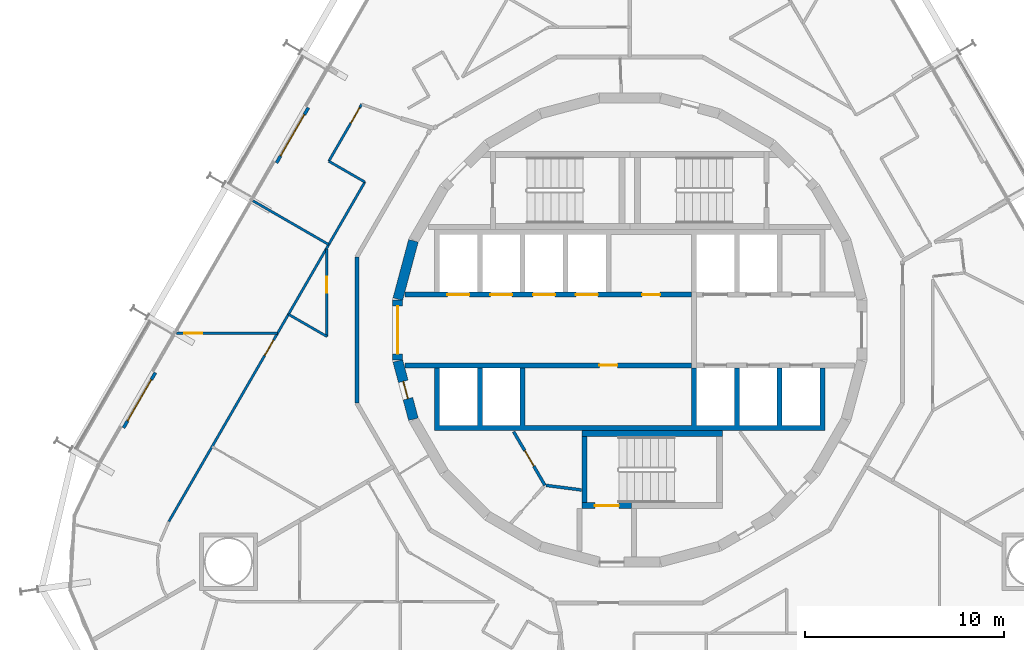
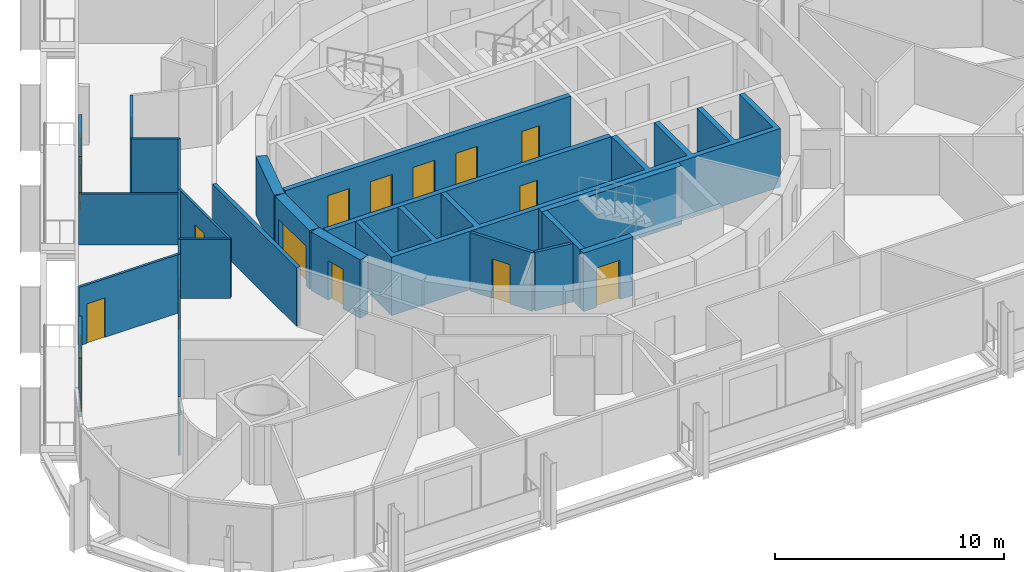
# One storey, part 14 of 21: 22 walls, 16 doors, 16 openings.
"""IFC4 building model written with IfcOpenShell, lengths in metres."""

import ifcopenshell
import ifcopenshell.guid

model = None  # the IFC model being written
_history = None  # IfcOwnerHistory: only IFC2X3 demands one
_inside = {}  # id of a spatial element -> (the spatial element, [elements in it])
_under = {}  # id of a project, library or spatial element -> (it, [spatial elements below it])
_declared = {}  # id of a project -> (the project, [libraries it declares])
_typed = {}  # id of a type object -> (the type object, [elements of that type])
_made_of = {}  # id of a material, layer set ... -> (it, [elements and type objects made of it])


def new_model(schema):
    """Start an empty IFC model of exactly this schema.

    Asked for "IFC4X3", IfcOpenShell would pick the latest addendum, in which some entities
    have other attributes; the version numbers below select the first issue.
    IFC2X3 requires an IfcOwnerHistory on every rooted entity: one is made here for all.
    """
    global model, _history
    if schema == "IFC4X3":
        model = ifcopenshell.file(schema_version=(4, 3, 0, 0))
    else:
        model = ifcopenshell.file(schema=schema)
    _inside.clear()
    _under.clear()
    _declared.clear()
    _typed.clear()
    _made_of.clear()
    _history = None
    if model.schema == "IFC2X3":
        org = make("IfcOrganization", Name="unknown")
        user = make(
            "IfcPersonAndOrganization",
            ThePerson=make("IfcPerson", FamilyName="unknown"),
            TheOrganization=org,
        )
        app = make(
            "IfcApplication",
            ApplicationDeveloper=org,
            Version="unknown",
            ApplicationFullName="unknown",
            ApplicationIdentifier="unknown",
        )
        _history = make(
            "IfcOwnerHistory",
            OwningUser=user,
            OwningApplication=app,
            ChangeAction="ADDED",
            CreationDate=0,
        )
    return model


def make(cls, **values):
    """One entity of the class cls with the attributes given. An attribute that is None is left unset."""
    return model.create_entity(
        cls, **{name: value for name, value in values.items() if value is not None}
    )


def rooted(cls, **values):
    """An entity with a GlobalId (a new one), such as an element, a storey or a relation."""
    return make(cls, GlobalId=ifcopenshell.guid.new(), OwnerHistory=_history, **values)


def si_unit(unit_type, name, prefix=None):
    """IfcSIUnit, for example si_unit("LENGTHUNIT", "METRE", prefix="MILLI")."""
    return make("IfcSIUnit", UnitType=unit_type, Prefix=prefix, Name=name)


def assignment(units):
    """IfcUnitAssignment: the units of a project."""
    return None if units is None else make("IfcUnitAssignment", Units=units)


def point(xyz):
    """IfcCartesianPoint."""
    return None if xyz is None else make("IfcCartesianPoint", Coordinates=xyz)


def direction(xyz):
    """IfcDirection."""
    return None if xyz is None else make("IfcDirection", DirectionRatios=xyz)


def frame(location, z_axis=None, x_axis=None):
    """IfcAxis2Placement3D, a coordinate frame: its origin and axes. An axis left out is left unset."""
    return make(
        "IfcAxis2Placement3D",
        Location=point(location),
        Axis=direction(z_axis),
        RefDirection=direction(x_axis),
    )


def frame_2d(location, x_axis=None):
    """IfcAxis2Placement2D, a coordinate frame in the plane: its origin and x axis."""
    return make(
        "IfcAxis2Placement2D", Location=point(location), RefDirection=direction(x_axis)
    )


def origin():
    """The frame at (0, 0, 0) with its axes left unset."""
    return frame((0.0, 0.0, 0.0))


def place(relative_to, where):
    """IfcLocalPlacement: puts the frame where relative to a parent placement (None: the world)."""
    return make(
        "IfcLocalPlacement", PlacementRelTo=relative_to, RelativePlacement=where
    )


def context(
    kind, dimensions, precision=None, world=None, true_north=None, identifier=None
):
    """IfcGeometricRepresentationContext, for example the 3D "Model" context."""
    return make(
        "IfcGeometricRepresentationContext",
        ContextIdentifier=identifier,
        ContextType=kind,
        CoordinateSpaceDimension=dimensions,
        Precision=precision,
        WorldCoordinateSystem=world,
        TrueNorth=true_north,
    )


def subcontext(parent, identifier, kind, view, scale=None):
    """IfcGeometricRepresentationSubContext, for example "Body" below "Model"."""
    return make(
        "IfcGeometricRepresentationSubContext",
        ContextIdentifier=identifier,
        ContextType=kind,
        ParentContext=parent,
        TargetScale=scale,
        TargetView=view,
    )


def project(units=None, contexts=None):
    """IfcProject with its units and contexts."""
    return rooted(
        "IfcProject",
        Name="project",
        RepresentationContexts=contexts,
        UnitsInContext=assignment(units),
    )


def spatial(cls, under=None, at=None, **own):
    """A site, building, storey or space (cls), placed at a placement, below another one or the project."""
    s = rooted(cls, ObjectPlacement=at, **own)
    if under is not None:
        _under.setdefault(under.id(), (under, []))[1].append(s)
    return s


def polyline(points):
    """IfcPolyline through the points."""
    return make("IfcPolyline", Points=[point(p) for p in points])


def profile(cls, at=None, kind="AREA", **sizes):
    """A parametric profile (cls). Its sizes go by their IFC names, for example OverallWidth=200.0."""
    return make(cls, ProfileType=kind, Position=at, **sizes)


def rectangle(**sizes):
    """IfcRectangleProfileDef."""
    return profile("IfcRectangleProfileDef", **sizes)


def outline(outer, holes=None, kind="AREA"):
    """IfcArbitraryClosedProfileDef: a profile drawn as a closed curve; with holes, ...WithVoids."""
    if holes is None:
        return make("IfcArbitraryClosedProfileDef", ProfileType=kind, OuterCurve=outer)
    return make(
        "IfcArbitraryProfileDefWithVoids",
        ProfileType=kind,
        OuterCurve=outer,
        InnerCurves=holes,
    )


def extrude(swept, where, along, depth):
    """IfcExtrudedAreaSolid: the profile swept, set in the frame where, extruded along a direction by depth."""
    return make(
        "IfcExtrudedAreaSolid",
        SweptArea=swept,
        Position=where,
        ExtrudedDirection=direction(along),
        Depth=depth,
    )


def shape(context_of_items, identifier, shape_type, items):
    """IfcShapeRepresentation: the items that make up one representation, for example the "Body"."""
    return make(
        "IfcShapeRepresentation",
        ContextOfItems=context_of_items,
        RepresentationIdentifier=identifier,
        RepresentationType=shape_type,
        Items=items,
    )


def material(Name=None, Category=None):
    """IfcMaterial."""
    return make("IfcMaterial", Name=Name, Category=Category)


def layer(
    of_material, thickness, ventilated=None, Name=None, Category=None, Priority=None
):
    """IfcMaterialLayer: one layer of a wall or slab, of a material (None: an air gap)."""
    return make(
        "IfcMaterialLayer",
        Material=of_material,
        LayerThickness=thickness,
        IsVentilated=ventilated,
        Name=Name,
        Category=Category,
        Priority=Priority,
    )


def layer_set(layers, Name=None):
    """IfcMaterialLayerSet."""
    return make("IfcMaterialLayerSet", MaterialLayers=layers, LayerSetName=Name)


def made_of(thing, what):
    """Note that an element or type object is made of a material, layer set ...; save() writes the relation."""
    if what is not None:
        _made_of.setdefault(what.id(), (what, []))[1].append(thing)
    return thing


def type_object(cls, material=None, **own):
    """A type object (cls), such as IfcWallType, which elements share."""
    return made_of(rooted(cls, **own), material)


def element(
    cls,
    number,
    at=None,
    inside=None,
    cuts=None,
    type_object=None,
    material=None,
    context=None,
    identifier="Body",
    shape_type=None,
    held_by="IfcProductDefinitionShape",
    body=None,
    shapes=None,
    **own,
):
    """One element of the class cls, such as IfcWall. Its Tag is "e" and its number.

    at: its placement. inside: the storey or other place that contains it. cuts: it is an
    opening in that element (IfcRelVoidsElement). A single representation is given by context,
    identifier, shape_type and body (its items); several are given by shapes. held_by: the class
    of the entity that holds the representations. save() writes the other relations.
    """
    e = rooted(cls, Tag="e%d" % number, ObjectPlacement=at, **own)
    if body is not None:
        shapes = [shape(context, identifier, shape_type, body)]
    if shapes is not None:
        e.Representation = make(held_by, Representations=shapes)
    if inside is not None:
        _inside.setdefault(inside.id(), (inside, []))[1].append(e)
    if cuts is not None:
        rooted(
            "IfcRelVoidsElement", RelatingBuildingElement=cuts, RelatedOpeningElement=e
        )
    if type_object is not None:
        _typed.setdefault(type_object.id(), (type_object, []))[1].append(e)
    return made_of(e, material)


def fill(opening, filler):
    """IfcRelFillsElement: the door or window that sits in an opening."""
    return rooted(
        "IfcRelFillsElement",
        RelatingOpeningElement=opening,
        RelatedBuildingElement=filler,
    )


def aggregate(whole, parts):
    """IfcRelAggregates: a whole, such as a stair, and the parts it consists of."""
    return rooted("IfcRelAggregates", RelatingObject=whole, RelatedObjects=parts)


def save(model, path):
    """Write the relations noted so far, then the file.

    IfcRelAggregates (storeys below a building ...), IfcRelContainedInSpatialStructure (elements
    in a storey), IfcRelDefinesByType, IfcRelAssociatesMaterial and IfcRelDeclares: one each for
    every whole, place, type object, material and project.
    """
    for whole, parts in _under.values():
        aggregate(whole, parts)
    for where, things in _inside.values():
        rooted(
            "IfcRelContainedInSpatialStructure",
            RelatedElements=things,
            RelatingStructure=where,
        )
    for kind, things in _typed.values():
        rooted("IfcRelDefinesByType", RelatedObjects=things, RelatingType=kind)
    for what, things in _made_of.values():
        rooted("IfcRelAssociatesMaterial", RelatedObjects=things, RelatingMaterial=what)
    for by, libraries in _declared.values():
        rooted("IfcRelDeclares", RelatingContext=by, RelatedDefinitions=libraries)
    model.write(path)


model = new_model("IFC4")

# Units and contexts
model_context = context("Model", 3, precision=1e-05, world=origin(), true_north=direction((0.0, 1.0)))
body_context = subcontext(model_context, "Body", "Model", "MODEL_VIEW")
ifc_project = project(units=[si_unit("LENGTHUNIT", "METRE"), si_unit("AREAUNIT", "SQUARE_METRE"), si_unit("VOLUMEUNIT", "CUBIC_METRE"), si_unit("PLANEANGLEUNIT", "RADIAN"), si_unit("MASSUNIT", "GRAM", prefix="KILO")], contexts=[model_context])

# Site, building, storey
site_placement = place(None, origin())
site = spatial("IfcSite", under=ifc_project, at=site_placement, CompositionType="ELEMENT")
building_placement = place(site_placement, origin())
building = spatial("IfcBuilding", under=site, at=building_placement, Name="Spindle Arch Residences", CompositionType="ELEMENT")
storey_placement = place(building_placement, frame((0.0, 0.0, 62.89990234375)))
storey = spatial("IfcBuildingStorey", under=building, at=storey_placement, Name="L14", CompositionType="ELEMENT", Elevation=62.89990234375)

# Wall
ifc_material_1 = material(Name="Concrete C50/60", Category="concrete")
ifc_layer_1 = layer(ifc_material_1, 0.5)
ifc_layer_set_1 = layer_set([ifc_layer_1], Name="Core outline wall 500")
wall_type_1 = type_object("IfcWallType", Name="Core outline wall 500", PredefinedType="SHEAR", material=ifc_layer_set_1)
wall_1_placement = place(storey_placement, frame((-10.858154296875, 4.479248046875, 0.0), z_axis=(0.0, 0.0, 1.0), x_axis=(-0.258734743916, -0.965948410781, 0.0)))
element("IfcWall", 1, at=wall_1_placement, inside=storey, type_object=wall_type_1, Name="Core outline wall 17", PredefinedType="SHEAR", context=body_context, shape_type="SweptSolid", body=[
    extrude(rectangle(XDim=3.03271484375, YDim=0.5, at=frame_2d((1.516357421875, 0.0))), origin(), (0.0, 0.0, 1.0), 3.1201171875),
])

# Wall, opening, door
wall_2_placement = place(storey_placement, frame((-11.647216796875, 1.516357421875, 0.0), z_axis=(0.0, 0.0, 1.0), x_axis=(0.0, -1.0, 0.0)))
wall_2 = element("IfcWall", 2, at=wall_2_placement, inside=storey, type_object=wall_type_1, Name="Core outline wall 18", PredefinedType="SHEAR", context=body_context, shape_type="SweptSolid", body=[
    extrude(rectangle(XDim=3.03271484375, YDim=0.5, at=frame_2d((1.516357421875, 0.0))), origin(), (0.0, 0.0, 1.0), 3.1201171875),
])
opening_1_placement = place(wall_2_placement, frame((0.31640625, 0.0, 0.0)))
opening_1 = element("IfcOpeningElement", 3, at=opening_1_placement, cuts=wall_2, Name="Opening R1C1-LE01", PredefinedType="OPENING", context=body_context, shape_type="SweptSolid", body=[
    extrude(rectangle(XDim=2.39990234375, YDim=2.10009765625, at=frame_2d((1.199951171875, 1.050048828125))), frame((0.0, 0.260009765625, 0.0), z_axis=(0.0, -1.0, 0.0), x_axis=(1.0, 0.0, 0.0)), (0.0, 0.0, 1.0), 0.52001953125),
])
ifc_material_2 = material(Name="Steel, fire-resisting door", Category="steel")
door_type_1 = type_object("IfcDoorType", Name="Lift lobby entrance door 2400x2100", OperationType="DOUBLE_DOOR_SINGLE_SWING", PredefinedType="DOOR", material=ifc_material_2)
door_1_placement = place(opening_1_placement, origin())
door_1 = element("IfcDoor", 4, at=door_1_placement, inside=storey, type_object=door_type_1, Name="Lift lobby entrance door R1C1-LE01", OperationType="DOUBLE_DOOR_SINGLE_SWING", OverallHeight=2.10009765625, OverallWidth=2.39990234375, PredefinedType="DOOR", context=body_context, shape_type="SweptSolid", body=[
    extrude(rectangle(XDim=2.39990234375, YDim=2.10009765625, at=frame_2d((1.199951171875, 1.050048828125))), frame((0.0, 0.02490234375, 0.0), z_axis=(0.0, -1.0, 0.0), x_axis=(1.0, 0.0, 0.0)), (0.0, 0.0, 1.0), 0.050048828125),
])
fill(opening_1, door_1)

wall_3_placement = place(storey_placement, frame((-11.642822265625, -1.5498046875, 0.0), z_axis=(0.0, 0.0, 1.0), x_axis=(0.258734743916, -0.965948410781, 0.0)))
wall_3 = element("IfcWall", 5, at=wall_3_placement, inside=storey, type_object=wall_type_1, Name="Core outline wall 19", PredefinedType="SHEAR", context=body_context, shape_type="SweptSolid", body=[
    extrude(rectangle(XDim=3.03271484375, YDim=0.5, at=frame_2d((1.516357421875, 0.0))), origin(), (0.0, 0.0, 1.0), 3.1201171875),
])
opening_2_placement = place(wall_3_placement, frame((1.06640625, 0.0, 0.0)))
opening_2 = element("IfcOpeningElement", 6, at=opening_2_placement, cuts=wall_3, Name="Opening R1C1-WD08", PredefinedType="OPENING", context=body_context, shape_type="SweptSolid", body=[
    extrude(rectangle(XDim=0.89990234375, YDim=2.10009765625, at=frame_2d((0.449951171875, 1.050048828125))), frame((0.0, 0.260009765625, 0.0), z_axis=(0.0, -1.0, 0.0), x_axis=(1.0, 0.0, 0.0)), (0.0, 0.0, 1.0), 0.52001953125),
])
ifc_material_3 = material(Name="Steel, fire-resisting door", Category="steel")
door_type_2 = type_object("IfcDoorType", Name="Service room door 900x2100", OperationType="SINGLE_SWING_LEFT", PredefinedType="DOOR", material=ifc_material_3)
door_2_placement = place(opening_2_placement, origin())
door_2 = element("IfcDoor", 7, at=door_2_placement, inside=storey, type_object=door_type_2, Name="Service room door R1C1-WD08", OperationType="SINGLE_SWING_LEFT", OverallHeight=2.10009765625, OverallWidth=0.89990234375, PredefinedType="DOOR", context=body_context, shape_type="SweptSolid", body=[
    extrude(rectangle(XDim=0.89990234375, YDim=2.10009765625, at=frame_2d((0.449951171875, 1.050048828125))), frame((0.0, 0.02490234375, 0.0), z_axis=(0.0, -1.0, 0.0), x_axis=(1.0, 0.0, 0.0)), (0.0, 0.0, 1.0), 0.050048828125),
])
fill(opening_2, door_2)

# Wall
ifc_material_4 = material(Name="Calcium silicate block, plastered")
ifc_layer_2 = layer(ifc_material_4, 0.199951171875)
ifc_layer_set_2 = layer_set([ifc_layer_2], Name="Corridor wall 200")
wall_type_2 = type_object("IfcWallType", Name="Corridor wall 200", PredefinedType="STANDARD", material=ifc_layer_set_2)
wall_4_placement = place(storey_placement, frame((-13.699951171875, 3.6708984375, 0.0), z_axis=(0.0, 0.0, 1.0), x_axis=(0.0, -1.0, 0.0)))
element("IfcWall", 8, at=wall_4_placement, inside=storey, type_object=wall_type_2, Name="Corridor wall R1C1-W011", PredefinedType="STANDARD", context=body_context, shape_type="SweptSolid", body=[
    extrude(rectangle(XDim=7.341796875, YDim=0.199951171875, at=frame_2d((3.6708984375, 0.0))), origin(), (0.0, 0.0, 1.0), 3.1201171875),
])

# Wall, opening, door
ifc_material_5 = material(Name="Plasterboard on steel studs", Category="steel")
ifc_layer_3 = layer(ifc_material_5, 0.1201171875)
ifc_layer_set_3 = layer_set([ifc_layer_3], Name="Flat partition 120")
wall_type_3 = type_object("IfcWallType", Name="Flat partition 120", PredefinedType="PARTITIONING", material=ifc_layer_set_3)
wall_5_placement = place(storey_placement, frame((-13.45654296875, 11.33154296875, 0.0), z_axis=(0.0, 0.0, 1.0), x_axis=(-0.499974350878, -0.866040211805, 0.0)))
wall_5 = element("IfcWall", 9, at=wall_5_placement, inside=storey, type_object=wall_type_3, Name="Flat partition R1C1-W064", PredefinedType="PARTITIONING", context=body_context, shape_type="SweptSolid", body=[
    extrude(rectangle(XDim=3.300048828125, YDim=0.1201171875, at=frame_2d((1.64990234375, 0.0))), origin(), (0.0, 0.0, 1.0), 3.1201171875),
])
opening_3_placement = place(wall_5_placement, frame((0.199951171875, 0.0, 0.0)))
opening_3 = element("IfcOpeningElement", 10, at=opening_3_placement, cuts=wall_5, Name="Opening R1C1-ID12", PredefinedType="OPENING", context=body_context, shape_type="SweptSolid", body=[
    extrude(rectangle(XDim=0.89990234375, YDim=2.10009765625, at=frame_2d((0.449951171875, 1.050048828125))), frame((0.0, 0.070068359375, 0.0), z_axis=(0.0, -1.0, 0.0), x_axis=(1.0, 0.0, 0.0)), (0.0, 0.0, 1.0), 0.14013671875),
])
ifc_material_6 = material(Name="Timber door set", Category="wood")
door_type_3 = type_object("IfcDoorType", Name="Room door 900x2100", OperationType="NOTDEFINED", PredefinedType="DOOR", material=ifc_material_6)
door_3_placement = place(opening_3_placement, origin())
door_3 = element("IfcDoor", 11, at=door_3_placement, inside=storey, type_object=door_type_3, Name="Room door R1C1-ID12", OperationType="SINGLE_SWING_LEFT", OverallHeight=2.10009765625, OverallWidth=0.89990234375, PredefinedType="DOOR", context=body_context, shape_type="SweptSolid", body=[
    extrude(rectangle(XDim=0.89990234375, YDim=2.10009765625, at=frame_2d((0.449951171875, 1.050048828125))), frame((0.0, 0.02490234375, 0.0), z_axis=(0.0, -1.0, 0.0), x_axis=(1.0, 0.0, 0.0)), (0.0, 0.0, 1.0), 0.050048828125),
])
fill(opening_3, door_3)

# Walls
wall_6_placement = place(storey_placement, frame((-15.1064453125, 8.4736328125, 0.0), z_axis=(0.0, 0.0, 1.0), x_axis=(0.866041603473, -0.499971940267, 0.0)))
element("IfcWall", 12, at=wall_6_placement, inside=storey, type_object=wall_type_3, Name="Flat partition R1C1-W065", PredefinedType="PARTITIONING", context=body_context, shape_type="SweptSolid", body=[
    extrude(rectangle(XDim=2.08935546875, YDim=0.1201171875, at=frame_2d((1.044677734375, 0.0))), origin(), (0.0, 0.0, 1.0), 3.1201171875),
])
wall_7_placement = place(storey_placement, frame((-13.296875, 7.428955078125, 0.0), z_axis=(0.0, 0.0, 1.0), x_axis=(-0.49999903102, -0.866025963225, 0.0)))
element("IfcWall", 13, at=wall_7_placement, inside=storey, type_object=wall_type_3, Name="Flat partition R1C1-W066", PredefinedType="PARTITIONING", context=body_context, shape_type="SweptSolid", body=[
    extrude(rectangle(XDim=7.66650390625, YDim=0.1201171875, at=frame_2d((3.833251953125, 0.0))), origin(), (0.0, 0.0, 1.0), 3.1201171875),
])

# Wall, opening, door
wall_8_placement = place(storey_placement, frame((-17.130126953125, 0.78955078125, 0.0), z_axis=(0.0, 0.0, 1.0), x_axis=(-0.499997052475, -0.866027105532, 0.0)))
wall_8 = element("IfcWall", 14, at=wall_8_placement, inside=storey, type_object=wall_type_3, Name="Flat partition R1C1-W067", PredefinedType="PARTITIONING", context=body_context, shape_type="SweptSolid", body=[
    extrude(rectangle(XDim=12.005859375, YDim=0.1201171875, at=frame_2d((6.0029296875, 0.0))), origin(), (0.0, 0.0, 1.0), 3.1201171875),
])
opening_4_placement = place(wall_8_placement, frame((1.498291015625, 0.0, 0.0)))
opening_4 = element("IfcOpeningElement", 15, at=opening_4_placement, cuts=wall_8, Name="Opening R1C1-ID13", PredefinedType="OPENING", context=body_context, shape_type="SweptSolid", body=[
    extrude(rectangle(XDim=0.89990234375, YDim=2.10009765625, at=frame_2d((0.449951171875, 1.050048828125))), frame((0.0, 0.070068359375, 0.0), z_axis=(0.0, -1.0, 0.0), x_axis=(1.0, 0.0, 0.0)), (0.0, 0.0, 1.0), 0.14013671875),
])
door_4_placement = place(opening_4_placement, origin())
door_4 = element("IfcDoor", 16, at=door_4_placement, inside=storey, type_object=door_type_3, Name="Room door R1C1-ID13", OperationType="SINGLE_SWING_RIGHT", OverallHeight=2.10009765625, OverallWidth=0.89990234375, PredefinedType="DOOR", context=body_context, shape_type="SweptSolid", body=[
    extrude(rectangle(XDim=0.89990234375, YDim=2.10009765625, at=frame_2d((0.449951171875, 1.050048828125))), frame((0.0, 0.02490234375, 0.0), z_axis=(0.0, -1.0, 0.0), x_axis=(1.0, 0.0, 0.0)), (0.0, 0.0, 1.0), 0.050048828125),
])
fill(opening_4, door_4)

wall_9_placement = place(storey_placement, frame((-15.199951171875, 4.07275390625, 0.0), z_axis=(0.0, 0.0, 1.0), x_axis=(0.0, -1.0, 0.0)))
wall_9 = element("IfcWall", 17, at=wall_9_placement, inside=storey, type_object=wall_type_3, Name="Flat partition R1C1-W068", PredefinedType="PARTITIONING", context=body_context, shape_type="SweptSolid", body=[
    extrude(rectangle(XDim=4.397705078125, YDim=0.1201171875, at=frame_2d((2.19873046875, 0.0))), origin(), (0.0, 0.0, 1.0), 3.1201171875),
])
opening_5_placement = place(wall_9_placement, frame((1.39990234375, 0.0, 0.0)))
opening_5 = element("IfcOpeningElement", 18, at=opening_5_placement, cuts=wall_9, Name="Opening R1C1-BD04", PredefinedType="OPENING", context=body_context, shape_type="SweptSolid", body=[
    extrude(rectangle(XDim=0.800048828125, YDim=2.10009765625, at=frame_2d((0.39990234375, 1.050048828125))), frame((0.0, 0.070068359375, 0.0), z_axis=(0.0, -1.0, 0.0), x_axis=(1.0, 0.0, 0.0)), (0.0, 0.0, 1.0), 0.14013671875),
])
ifc_material_7 = material(Name="Timber door set", Category="wood")
door_type_4 = type_object("IfcDoorType", Name="Bathroom door 800x2100", OperationType="NOTDEFINED", PredefinedType="DOOR", material=ifc_material_7)
door_5_placement = place(opening_5_placement, origin())
door_5 = element("IfcDoor", 19, at=door_5_placement, inside=storey, type_object=door_type_4, Name="Bathroom door R1C1-BD04", OperationType="SINGLE_SWING_RIGHT", OverallHeight=2.10009765625, OverallWidth=0.800048828125, PredefinedType="DOOR", context=body_context, shape_type="SweptSolid", body=[
    extrude(rectangle(XDim=0.800048828125, YDim=2.10009765625, at=frame_2d((0.39990234375, 1.050048828125))), frame((0.0, 0.02490234375, 0.0), z_axis=(0.0, -1.0, 0.0), x_axis=(1.0, 0.0, 0.0)), (0.0, 0.0, 1.0), 0.050048828125),
])
fill(opening_5, door_5)

# Wall
wall_10_placement = place(storey_placement, frame((-15.199951171875, -0.324951171875, 0.0), z_axis=(0.0, 0.0, 1.0), x_axis=(-0.866003168561, 0.500038510559, 0.0)))
element("IfcWall", 20, at=wall_10_placement, inside=storey, type_object=wall_type_3, Name="Flat partition R1C1-W069", PredefinedType="PARTITIONING", context=body_context, shape_type="SweptSolid", body=[
    extrude(rectangle(XDim=2.228759765625, YDim=0.1201171875, at=frame_2d((1.1142578125, 0.0))), origin(), (0.0, 0.0, 1.0), 3.1201171875),
])

# Wall, opening, door
wall_11_placement = place(storey_placement, frame((-22.760009765625, -0.161865234375, 0.0), z_axis=(0.0, 0.0, 1.0), x_axis=(1.0, 0.0, 0.0)))
wall_11 = element("IfcWall", 21, at=wall_11_placement, inside=storey, type_object=wall_type_3, Name="Flat partition R1C1-W072", PredefinedType="PARTITIONING", context=body_context, shape_type="SweptSolid", body=[
    extrude(rectangle(XDim=5.08056640625, YDim=0.1201171875, at=frame_2d((2.540283203125, 0.0))), origin(), (0.0, 0.0, 1.0), 3.1201171875),
])
opening_6_placement = place(wall_11_placement, frame((0.39990234375, 0.0, 0.0)))
opening_6 = element("IfcOpeningElement", 22, at=opening_6_placement, cuts=wall_11, Name="Opening R1C1-ID15", PredefinedType="OPENING", context=body_context, shape_type="SweptSolid", body=[
    extrude(rectangle(XDim=0.89990234375, YDim=2.10009765625, at=frame_2d((0.449951171875, 1.050048828125))), frame((0.0, 0.070068359375, 0.0), z_axis=(0.0, -1.0, 0.0), x_axis=(1.0, 0.0, 0.0)), (0.0, 0.0, 1.0), 0.14013671875),
])
door_6_placement = place(opening_6_placement, origin())
door_6 = element("IfcDoor", 23, at=door_6_placement, inside=storey, type_object=door_type_3, Name="Room door R1C1-ID15", OperationType="SINGLE_SWING_LEFT", OverallHeight=2.10009765625, OverallWidth=0.89990234375, PredefinedType="DOOR", context=body_context, shape_type="SweptSolid", body=[
    extrude(rectangle(XDim=0.89990234375, YDim=2.10009765625, at=frame_2d((0.449951171875, 1.050048828125))), frame((0.0, 0.02490234375, 0.0), z_axis=(0.0, -1.0, 0.0), x_axis=(1.0, 0.0, 0.0)), (0.0, 0.0, 1.0), 0.050048828125),
])
fill(opening_6, door_6)

# Wall
ifc_material_8 = material(Name="Plasterboard on steel studs", Category="steel")
ifc_layer_4 = layer(ifc_material_8, 0.1201171875)
ifc_layer_set_4 = layer_set([ifc_layer_4], Name="Flat partition 120 under beam 2730")
wall_type_4 = type_object("IfcWallType", Name="Flat partition 120 under beam 2730", PredefinedType="PARTITIONING", material=ifc_layer_set_4)
wall_12_placement = place(storey_placement, frame((-18.919921875, 6.489501953125, 0.0), z_axis=(0.0, 0.0, 1.0), x_axis=(0.865994303029, -0.500053864221, 0.0)))
element("IfcWall", 24, at=wall_12_placement, inside=storey, type_object=wall_type_4, Name="Flat partition R1C1-W071", PredefinedType="PARTITIONING", context=body_context, shape_type="SweptSolid", body=[
    extrude(rectangle(XDim=4.39990234375, YDim=0.1201171875, at=frame_2d((2.199951171875, 0.0))), origin(), (0.0, 0.0, 1.0), 2.72998046875),
])

# Wall, opening, door
ifc_material_9 = material(Name="Non-combustible mineral wool insulated aluminium faced external wall (K0)", Category="aluminium")
ifc_layer_5 = layer(ifc_material_9, 0.159912109375)
ifc_layer_set_5 = layer_set([ifc_layer_5], Name="Insulated external wall panel 160")
wall_type_5 = type_object("IfcWallType", Name="Insulated external wall panel 160", PredefinedType="STANDARD", material=ifc_layer_set_5)
wall_13_placement = place(storey_placement, frame((-16.130615234375, 11.16064453125, 0.0), z_axis=(0.0, 0.0, 1.0), x_axis=(-0.500028443584, -0.866008981251, 0.0)))
wall_13 = element("IfcWall", 25, at=wall_13_placement, inside=storey, type_object=wall_type_5, Name="External wall L14 bay 16", PredefinedType="STANDARD", context=body_context, shape_type="SweptSolid", body=[
    extrude(rectangle(XDim=3.199951171875, YDim=0.159912109375, at=frame_2d((1.60009765625, 0.0))), origin(), (0.0, 0.0, 1.0), 3.1201171875),
])
opening_7_placement = place(wall_13_placement, frame((0.39990234375, 0.0, 0.0)))
opening_7 = element("IfcOpeningElement", 26, at=opening_7_placement, cuts=wall_13, Name="Opening BD16", PredefinedType="OPENING", context=body_context, shape_type="SweptSolid", body=[
    extrude(rectangle(XDim=2.39990234375, YDim=2.39990234375, at=frame_2d((1.199951171875, 1.199951171875))), frame((0.0, 0.08984375, 0.0), z_axis=(0.0, -1.0, 0.0), x_axis=(1.0, 0.0, 0.0)), (0.0, 0.0, 1.0), 0.179931640625),
])
ifc_material_10 = material(Name="Bronze aluminium frame, tinted double glazing", Category="aluminium")
door_type_5 = type_object("IfcDoorType", Name="Sliding glazed balcony door 2400x2400", OperationType="DOUBLE_DOOR_SLIDING", PredefinedType="DOOR", material=ifc_material_10)
door_7_placement = place(opening_7_placement, origin())
door_7 = element("IfcDoor", 27, at=door_7_placement, inside=storey, type_object=door_type_5, Name="Balcony door BD16", OperationType="DOUBLE_DOOR_SLIDING", OverallHeight=2.39990234375, OverallWidth=2.39990234375, PredefinedType="DOOR", context=body_context, shape_type="SweptSolid", body=[
    extrude(rectangle(XDim=2.39990234375, YDim=2.39990234375, at=frame_2d((1.199951171875, 1.199951171875))), frame((0.0, 0.02490234375, 0.0), z_axis=(0.0, -1.0, 0.0), x_axis=(1.0, 0.0, 0.0)), (0.0, 0.0, 1.0), 0.050048828125),
])
fill(opening_7, door_7)

wall_14_placement = place(storey_placement, frame((-23.810791015625, -2.1416015625, 0.0), z_axis=(0.0, 0.0, 1.0), x_axis=(-0.500028443584, -0.866008981251, 0.0)))
wall_14 = element("IfcWall", 28, at=wall_14_placement, inside=storey, type_object=wall_type_5, Name="External wall L14 bay 18", PredefinedType="STANDARD", context=body_context, shape_type="SweptSolid", body=[
    extrude(rectangle(XDim=3.199951171875, YDim=0.159912109375, at=frame_2d((1.60009765625, 0.0))), origin(), (0.0, 0.0, 1.0), 3.1201171875),
])
opening_8_placement = place(wall_14_placement, frame((0.39990234375, 0.0, 0.0)))
opening_8 = element("IfcOpeningElement", 29, at=opening_8_placement, cuts=wall_14, Name="Opening BD18", PredefinedType="OPENING", context=body_context, shape_type="SweptSolid", body=[
    extrude(rectangle(XDim=2.39990234375, YDim=2.39990234375, at=frame_2d((1.199951171875, 1.199951171875))), frame((0.0, 0.08984375, 0.0), z_axis=(0.0, -1.0, 0.0), x_axis=(1.0, 0.0, 0.0)), (0.0, 0.0, 1.0), 0.179931640625),
])
door_8_placement = place(opening_8_placement, origin())
door_8 = element("IfcDoor", 30, at=door_8_placement, inside=storey, type_object=door_type_5, Name="Balcony door BD18", OperationType="DOUBLE_DOOR_SLIDING", OverallHeight=2.39990234375, OverallWidth=2.39990234375, PredefinedType="DOOR", context=body_context, shape_type="SweptSolid", body=[
    extrude(rectangle(XDim=2.39990234375, YDim=2.39990234375, at=frame_2d((1.199951171875, 1.199951171875))), frame((0.0, 0.02490234375, 0.0), z_axis=(0.0, -1.0, 0.0), x_axis=(1.0, 0.0, 0.0)), (0.0, 0.0, 1.0), 0.050048828125),
])
fill(opening_8, door_8)

# Wall, openings, doors
ifc_material_11 = material(Name="Concrete C50/60", Category="concrete")
ifc_layer_6 = layer(ifc_material_11, 0.25)
ifc_layer_set_6 = layer_set([ifc_layer_6], Name="Lift shaft wall 250")
wall_type_6 = type_object("IfcWallType", Name="Lift shaft wall 250", PredefinedType="SHEAR", material=ifc_layer_set_6)
wall_15_placement = place(storey_placement, frame((-11.280029296875, 1.77490234375, 0.0), z_axis=(0.0, 0.0, 1.0), x_axis=(1.0, 0.0, 0.0)))
wall_15 = element("IfcWall", 31, at=wall_15_placement, inside=storey, type_object=wall_type_6, Name="Lift shaft front wall NW", PredefinedType="SHEAR", context=body_context, shape_type="SweptSolid", body=[
    extrude(rectangle(XDim=14.380126953125, YDim=0.25, at=frame_2d((7.18994140625, 0.0))), origin(), (0.0, 0.0, 1.0), 3.1201171875),
])
opening_9_placement = place(wall_15_placement, frame((2.1298828125, 0.0, 0.0)))
opening_9 = element("IfcOpeningElement", 32, at=opening_9_placement, cuts=wall_15, Name="Opening R1C1-LD01", PredefinedType="OPENING", context=body_context, shape_type="SweptSolid", body=[
    extrude(rectangle(XDim=1.10009765625, YDim=2.10009765625, at=frame_2d((0.550048828125, 1.050048828125))), frame((0.0, 0.135009765625, 0.0), z_axis=(0.0, -1.0, 0.0), x_axis=(1.0, 0.0, 0.0)), (0.0, 0.0, 1.0), 0.27001953125),
])
opening_10_placement = place(wall_15_placement, frame((4.280029296875, 0.0, 0.0)))
opening_10 = element("IfcOpeningElement", 33, at=opening_10_placement, cuts=wall_15, Name="Opening R1C1-LD02", PredefinedType="OPENING", context=body_context, shape_type="SweptSolid", body=[
    extrude(rectangle(XDim=1.10009765625, YDim=2.10009765625, at=frame_2d((0.550048828125, 1.050048828125))), frame((0.0, 0.135009765625, 0.0), z_axis=(0.0, -1.0, 0.0), x_axis=(1.0, 0.0, 0.0)), (0.0, 0.0, 1.0), 0.27001953125),
])
opening_11_placement = place(wall_15_placement, frame((6.429931640625, 0.0, 0.0)))
opening_11 = element("IfcOpeningElement", 34, at=opening_11_placement, cuts=wall_15, Name="Opening R1C1-LD03", PredefinedType="OPENING", context=body_context, shape_type="SweptSolid", body=[
    extrude(rectangle(XDim=1.10009765625, YDim=2.10009765625, at=frame_2d((0.550048828125, 1.050048828125))), frame((0.0, 0.135009765625, 0.0), z_axis=(0.0, -1.0, 0.0), x_axis=(1.0, 0.0, 0.0)), (0.0, 0.0, 1.0), 0.27001953125),
])
opening_12_placement = place(wall_15_placement, frame((8.580078125, 0.0, 0.0)))
opening_12 = element("IfcOpeningElement", 35, at=opening_12_placement, cuts=wall_15, Name="Opening R1C1-LD04", PredefinedType="OPENING", context=body_context, shape_type="SweptSolid", body=[
    extrude(rectangle(XDim=1.10009765625, YDim=2.10009765625, at=frame_2d((0.550048828125, 1.050048828125))), frame((0.0, 0.135009765625, 0.0), z_axis=(0.0, -1.0, 0.0), x_axis=(1.0, 0.0, 0.0)), (0.0, 0.0, 1.0), 0.27001953125),
])
opening_13_placement = place(wall_15_placement, frame((11.905029296875, 0.0, 0.0)))
opening_13 = element("IfcOpeningElement", 36, at=opening_13_placement, cuts=wall_15, Name="Opening R1C1-WD01", PredefinedType="OPENING", context=body_context, shape_type="SweptSolid", body=[
    extrude(rectangle(XDim=0.89990234375, YDim=2.10009765625, at=frame_2d((0.449951171875, 1.050048828125))), frame((0.0, 0.135009765625, 0.0), z_axis=(0.0, -1.0, 0.0), x_axis=(1.0, 0.0, 0.0)), (0.0, 0.0, 1.0), 0.27001953125),
])
ifc_material_12 = material(Name="Steel, fire-resisting landing door", Category="steel")
door_type_6 = type_object("IfcDoorType", Name="Lift landing door 1100x2100", OperationType="DOUBLE_DOOR_SLIDING", PredefinedType="DOOR", material=ifc_material_12)
door_9_placement = place(opening_9_placement, origin())
door_9 = element("IfcDoor", 37, at=door_9_placement, inside=storey, type_object=door_type_6, Name="Lift landing door R1C1-LD01", OperationType="DOUBLE_DOOR_SLIDING", OverallHeight=2.10009765625, OverallWidth=1.10009765625, PredefinedType="DOOR", context=body_context, shape_type="SweptSolid", body=[
    extrude(rectangle(XDim=1.10009765625, YDim=2.10009765625, at=frame_2d((0.550048828125, 1.050048828125))), frame((0.0, 0.02490234375, 0.0), z_axis=(0.0, -1.0, 0.0), x_axis=(1.0, 0.0, 0.0)), (0.0, 0.0, 1.0), 0.050048828125),
])
fill(opening_9, door_9)
door_10_placement = place(opening_10_placement, origin())
door_10 = element("IfcDoor", 38, at=door_10_placement, inside=storey, type_object=door_type_6, Name="Lift landing door R1C1-LD02", OperationType="DOUBLE_DOOR_SLIDING", OverallHeight=2.10009765625, OverallWidth=1.10009765625, PredefinedType="DOOR", context=body_context, shape_type="SweptSolid", body=[
    extrude(rectangle(XDim=1.10009765625, YDim=2.10009765625, at=frame_2d((0.550048828125, 1.050048828125))), frame((0.0, 0.02490234375, 0.0), z_axis=(0.0, -1.0, 0.0), x_axis=(1.0, 0.0, 0.0)), (0.0, 0.0, 1.0), 0.050048828125),
])
fill(opening_10, door_10)
door_11_placement = place(opening_11_placement, origin())
door_11 = element("IfcDoor", 39, at=door_11_placement, inside=storey, type_object=door_type_6, Name="Lift landing door R1C1-LD03", OperationType="DOUBLE_DOOR_SLIDING", OverallHeight=2.10009765625, OverallWidth=1.10009765625, PredefinedType="DOOR", context=body_context, shape_type="SweptSolid", body=[
    extrude(rectangle(XDim=1.10009765625, YDim=2.10009765625, at=frame_2d((0.550048828125, 1.050048828125))), frame((0.0, 0.02490234375, 0.0), z_axis=(0.0, -1.0, 0.0), x_axis=(1.0, 0.0, 0.0)), (0.0, 0.0, 1.0), 0.050048828125),
])
fill(opening_11, door_11)
door_12_placement = place(opening_12_placement, origin())
door_12 = element("IfcDoor", 40, at=door_12_placement, inside=storey, type_object=door_type_6, Name="Lift landing door R1C1-LD04", OperationType="DOUBLE_DOOR_SLIDING", OverallHeight=2.10009765625, OverallWidth=1.10009765625, PredefinedType="DOOR", context=body_context, shape_type="SweptSolid", body=[
    extrude(rectangle(XDim=1.10009765625, YDim=2.10009765625, at=frame_2d((0.550048828125, 1.050048828125))), frame((0.0, 0.02490234375, 0.0), z_axis=(0.0, -1.0, 0.0), x_axis=(1.0, 0.0, 0.0)), (0.0, 0.0, 1.0), 0.050048828125),
])
fill(opening_12, door_12)
door_13_placement = place(opening_13_placement, origin())
door_13 = element("IfcDoor", 41, at=door_13_placement, inside=storey, type_object=door_type_2, Name="Service room door R1C1-WD01", OperationType="SINGLE_SWING_RIGHT", OverallHeight=2.10009765625, OverallWidth=0.89990234375, PredefinedType="DOOR", context=body_context, shape_type="SweptSolid", body=[
    extrude(rectangle(XDim=0.89990234375, YDim=2.10009765625, at=frame_2d((0.449951171875, 1.050048828125))), frame((0.0, 0.02490234375, 0.0), z_axis=(0.0, -1.0, 0.0), x_axis=(1.0, 0.0, 0.0)), (0.0, 0.0, 1.0), 0.050048828125),
])
fill(opening_13, door_13)

# Wall, opening, door
wall_16_placement = place(storey_placement, frame((-11.280029296875, -1.77490234375, 0.0), z_axis=(0.0, 0.0, 1.0), x_axis=(1.0, 0.0, 0.0)))
wall_16 = element("IfcWall", 42, at=wall_16_placement, inside=storey, type_object=wall_type_6, Name="Lift shaft front wall SW", PredefinedType="SHEAR", context=body_context, shape_type="SweptSolid", body=[
    extrude(rectangle(XDim=14.380126953125, YDim=0.25, at=frame_2d((7.18994140625, 0.0))), origin(), (0.0, 0.0, 1.0), 3.1201171875),
])
opening_14_placement = place(wall_16_placement, frame((9.7548828125, 0.0, 0.0)))
opening_14 = element("IfcOpeningElement", 43, at=opening_14_placement, cuts=wall_16, Name="Opening R1C1-WD03", PredefinedType="OPENING", context=body_context, shape_type="SweptSolid", body=[
    extrude(rectangle(XDim=0.89990234375, YDim=2.10009765625, at=frame_2d((0.449951171875, 1.050048828125))), frame((0.0, 0.135009765625, 0.0), z_axis=(0.0, -1.0, 0.0), x_axis=(1.0, 0.0, 0.0)), (0.0, 0.0, 1.0), 0.27001953125),
])
door_14_placement = place(opening_14_placement, origin())
door_14 = element("IfcDoor", 44, at=door_14_placement, inside=storey, type_object=door_type_2, Name="Service room door R1C1-WD03", OperationType="SINGLE_SWING_RIGHT", OverallHeight=2.10009765625, OverallWidth=0.89990234375, PredefinedType="DOOR", context=body_context, shape_type="SweptSolid", body=[
    extrude(rectangle(XDim=0.89990234375, YDim=2.10009765625, at=frame_2d((0.449951171875, 1.050048828125))), frame((0.0, 0.02490234375, 0.0), z_axis=(0.0, -1.0, 0.0), x_axis=(1.0, 0.0, 0.0)), (0.0, 0.0, 1.0), 0.050048828125),
])
fill(opening_14, door_14)

# Wall
ifc_material_13 = material(Name="Concrete C50/60", Category="concrete")
wall_type_7 = type_object("IfcWallType", Name="Lift shaft wall profile", PredefinedType="SHEAR", material=ifc_material_13)
wall_17_placement = place(storey_placement, origin())
element("IfcWall", 45, at=wall_17_placement, inside=storey, type_object=wall_type_7, Name="Lift shaft walls S", PredefinedType="SHEAR", context=body_context, shape_type="SweptSolid", body=[
    extrude(outline(polyline([(9.800048828125, -5.050048828125), (9.800048828125, -4.800048828125), (9.800048828125, -1.89990234375), (9.550048828125, -1.89990234375), (9.550048828125, -4.800048828125), (7.64990234375, -4.800048828125), (7.64990234375, -1.89990234375), (7.39990234375, -1.89990234375), (7.39990234375, -4.800048828125), (5.5, -4.800048828125), (5.5, -1.89990234375), (5.25, -1.89990234375), (5.25, -4.800048828125), (3.35009765625, -4.800048828125), (3.35009765625, -1.89990234375), (3.10009765625, -1.89990234375), (3.10009765625, -4.800048828125), (-5.25, -4.800048828125), (-5.25, -1.89990234375), (-5.5, -1.89990234375), (-5.5, -4.800048828125), (-7.39990234375, -4.800048828125), (-7.39990234375, -1.89990234375), (-7.64990234375, -1.89990234375), (-7.64990234375, -4.800048828125), (-9.550048828125, -4.800048828125), (-9.550048828125, -1.89990234375), (-9.800048828125, -1.89990234375), (-9.800048828125, -4.800048828125), (-9.800048828125, -5.050048828125), (9.800048828125, -5.050048828125)])), origin(), (0.0, 0.0, 1.0), 3.1201171875),
])

# Wall, opening, door
ifc_material_14 = material(Name="Concrete C25/30", Category="concrete")
ifc_layer_7 = layer(ifc_material_14, 0.14990234375)
ifc_layer_set_7 = layer_set([ifc_layer_7], Name="Service room partition 150")
wall_type_8 = type_object("IfcWallType", Name="Service room partition 150", PredefinedType="PARTITIONING", material=ifc_layer_set_7)
wall_18_placement = place(storey_placement, frame((-5.8291015625, -5.101806640625, 0.0), z_axis=(0.0, 0.0, 1.0), x_axis=(0.504480008384, -0.863423373057, 0.0)))
wall_18 = element("IfcWall", 46, at=wall_18_placement, inside=storey, type_object=wall_type_8, Name="Core service room partition", PredefinedType="PARTITIONING", context=body_context, shape_type="SweptSolid", body=[
    extrude(rectangle(XDim=3.115234375, YDim=0.14990234375, at=frame_2d((1.5576171875, 0.0))), origin(), (0.0, 0.0, 1.0), 3.1201171875),
])
opening_15_placement = place(wall_18_placement, frame((1.107421875, 0.0, 0.0)))
opening_15 = element("IfcOpeningElement", 47, at=opening_15_placement, cuts=wall_18, Name="Opening R1C1-WD05", PredefinedType="OPENING", context=body_context, shape_type="SweptSolid", body=[
    extrude(rectangle(XDim=0.89990234375, YDim=2.10009765625, at=frame_2d((0.449951171875, 1.050048828125))), frame((0.0, 0.0849609375, 0.0), z_axis=(0.0, -1.0, 0.0), x_axis=(1.0, 0.0, 0.0)), (0.0, 0.0, 1.0), 0.169921875),
])
door_15_placement = place(opening_15_placement, origin())
door_15 = element("IfcDoor", 48, at=door_15_placement, inside=storey, type_object=door_type_2, Name="Service room door R1C1-WD05", OperationType="SINGLE_SWING_RIGHT", OverallHeight=2.10009765625, OverallWidth=0.89990234375, PredefinedType="DOOR", context=body_context, shape_type="SweptSolid", body=[
    extrude(rectangle(XDim=0.89990234375, YDim=2.10009765625, at=frame_2d((0.449951171875, 1.050048828125))), frame((0.0, 0.02490234375, 0.0), z_axis=(0.0, -1.0, 0.0), x_axis=(1.0, 0.0, 0.0)), (0.0, 0.0, 1.0), 0.050048828125),
])
fill(opening_15, door_15)

# Walls
wall_19_placement = place(storey_placement, frame((-4.197998046875, -7.79931640625, 0.0), z_axis=(0.0, 0.0, 1.0), x_axis=(0.991686747293, -0.128675542523, 0.0)))
element("IfcWall", 49, at=wall_19_placement, inside=storey, type_object=wall_type_8, Name="Core service room partition", PredefinedType="PARTITIONING", context=body_context, shape_type="SweptSolid", body=[
    extrude(rectangle(XDim=1.79296875, YDim=0.14990234375, at=frame_2d((0.896484375, 0.0))), origin(), (0.0, 0.0, 1.0), 3.1201171875),
])
ifc_material_15 = material(Name="Concrete C50/60", Category="concrete")
ifc_layer_8 = layer(ifc_material_15, 0.25)
ifc_layer_set_8 = layer_set([ifc_layer_8], Name="Stair enclosure wall 250")
wall_type_9 = type_object("IfcWallType", Name="Stair enclosure wall 250", PredefinedType="SHEAR", material=ifc_layer_set_8)
wall_20_placement = place(storey_placement, frame((-2.27490234375, -8.669921875, 0.0), z_axis=(0.0, 0.0, 1.0), x_axis=(0.0, 1.0, 0.0)))
element("IfcWall", 50, at=wall_20_placement, inside=storey, type_object=wall_type_9, Name="Stair ST-3 enclosure wall W", PredefinedType="SHEAR", context=body_context, shape_type="SweptSolid", body=[
    extrude(rectangle(XDim=3.31982421875, YDim=0.25, at=frame_2d((1.659912109375, 0.0))), origin(), (0.0, 0.0, 1.0), 3.1201171875),
])
ifc_material_16 = material(Name="Concrete C50/60", Category="concrete")
ifc_layer_9 = layer(ifc_material_16, 0.300048828125)
ifc_layer_set_9 = layer_set([ifc_layer_9], Name="Stair enclosure wall 300")
wall_type_10 = type_object("IfcWallType", Name="Stair enclosure wall 300", PredefinedType="SHEAR", material=ifc_layer_set_9)
wall_21_placement = place(storey_placement, frame((-2.39990234375, -5.199951171875, 0.0), z_axis=(0.0, 0.0, 1.0), x_axis=(1.0, 0.0, 0.0)))
element("IfcWall", 51, at=wall_21_placement, inside=storey, type_object=wall_type_10, Name="Stair ST-3 enclosure wall N", PredefinedType="SHEAR", context=body_context, shape_type="SweptSolid", body=[
    extrude(rectangle(XDim=7.0498046875, YDim=0.300048828125, at=frame_2d((3.52490234375, 0.0))), origin(), (0.0, 0.0, 1.0), 3.1201171875),
])

# Wall, opening, door
wall_22_placement = place(storey_placement, frame((-2.39990234375, -8.820068359375, 0.0), z_axis=(0.0, 0.0, 1.0), x_axis=(1.0, 0.0, 0.0)))
wall_22 = element("IfcWall", 52, at=wall_22_placement, inside=storey, type_object=wall_type_10, Name="Stair ST-3 door wall", PredefinedType="SHEAR", context=body_context, shape_type="SweptSolid", body=[
    extrude(rectangle(XDim=2.5, YDim=0.300048828125, at=frame_2d((1.25, 0.0))), origin(), (0.0, 0.0, 1.0), 3.1201171875),
])
opening_16_placement = place(wall_22_placement, frame((0.64990234375, 0.0, 0.0)))
opening_16 = element("IfcOpeningElement", 53, at=opening_16_placement, cuts=wall_22, Name="Opening R1C1-SD03", PredefinedType="OPENING", context=body_context, shape_type="SweptSolid", body=[
    extrude(rectangle(XDim=1.199951171875, YDim=2.10009765625, at=frame_2d((0.60009765625, 1.050048828125))), frame((0.0, 0.16015625, 0.0), z_axis=(0.0, -1.0, 0.0), x_axis=(1.0, 0.0, 0.0)), (0.0, 0.0, 1.0), 0.320068359375),
])
ifc_material_17 = material(Name="Steel, fire-resisting door", Category="steel")
door_type_7 = type_object("IfcDoorType", Name="Stair door 1200x2100", OperationType="SINGLE_SWING_RIGHT", PredefinedType="DOOR", material=ifc_material_17)
door_16_placement = place(opening_16_placement, origin())
door_16 = element("IfcDoor", 54, at=door_16_placement, inside=storey, type_object=door_type_7, Name="Stair door R1C1-SD03", OperationType="SINGLE_SWING_LEFT", OverallHeight=2.10009765625, OverallWidth=1.199951171875, PredefinedType="DOOR", context=body_context, shape_type="SweptSolid", body=[
    extrude(rectangle(XDim=1.199951171875, YDim=2.10009765625, at=frame_2d((0.60009765625, 1.050048828125))), frame((0.0, 0.02490234375, 0.0), z_axis=(0.0, -1.0, 0.0), x_axis=(1.0, 0.0, 0.0)), (0.0, 0.0, 1.0), 0.050048828125),
])
fill(opening_16, door_16)

save(model, "model.ifc")
